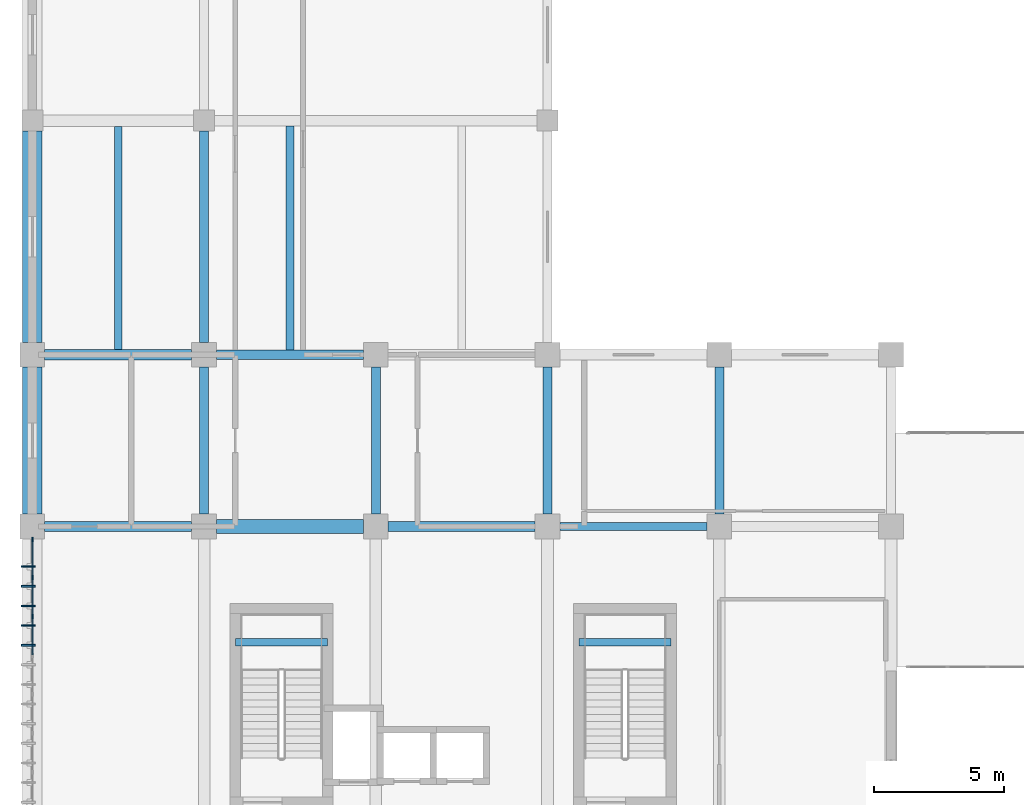
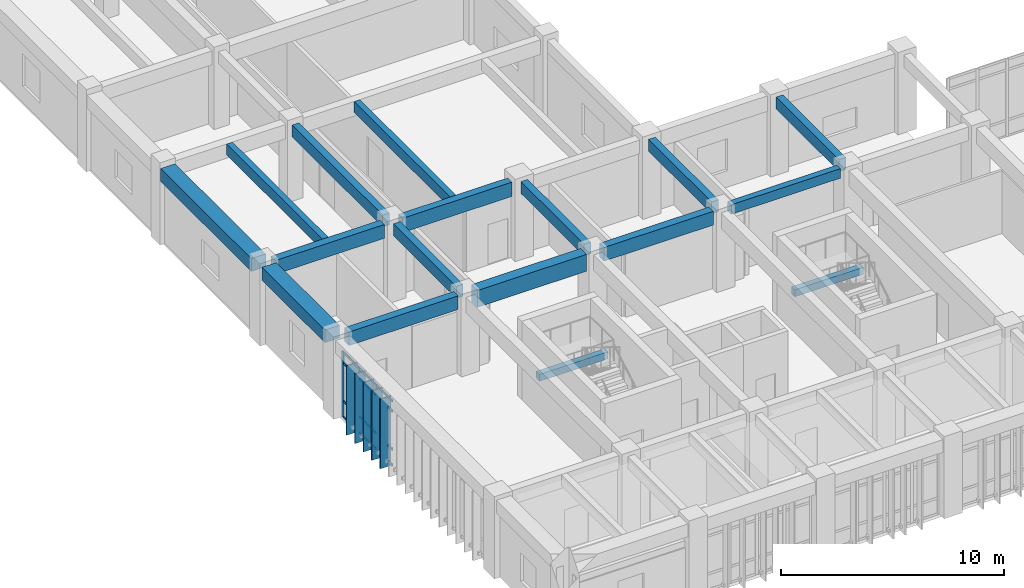
# One storey, part 5 of 57: 20 members, 17 beams, 1 element without a shape of its own.
"""IFC4 building model written with IfcOpenShell, lengths in metres."""

import ifcopenshell
import ifcopenshell.guid

model = None  # the IFC model being written
_history = None  # IfcOwnerHistory: only IFC2X3 demands one
_inside = {}  # id of a spatial element -> (the spatial element, [elements in it])
_under = {}  # id of a project, library or spatial element -> (it, [spatial elements below it])
_declared = {}  # id of a project -> (the project, [libraries it declares])
_typed = {}  # id of a type object -> (the type object, [elements of that type])
_made_of = {}  # id of a material, layer set ... -> (it, [elements and type objects made of it])


def new_model(schema):
    """Start an empty IFC model of exactly this schema.

    Asked for "IFC4X3", IfcOpenShell would pick the latest addendum, in which some entities
    have other attributes; the version numbers below select the first issue.
    IFC2X3 requires an IfcOwnerHistory on every rooted entity: one is made here for all.
    """
    global model, _history
    if schema == "IFC4X3":
        model = ifcopenshell.file(schema_version=(4, 3, 0, 0))
    else:
        model = ifcopenshell.file(schema=schema)
    _inside.clear()
    _under.clear()
    _declared.clear()
    _typed.clear()
    _made_of.clear()
    _history = None
    if model.schema == "IFC2X3":
        org = make("IfcOrganization", Name="unknown")
        user = make(
            "IfcPersonAndOrganization",
            ThePerson=make("IfcPerson", FamilyName="unknown"),
            TheOrganization=org,
        )
        app = make(
            "IfcApplication",
            ApplicationDeveloper=org,
            Version="unknown",
            ApplicationFullName="unknown",
            ApplicationIdentifier="unknown",
        )
        _history = make(
            "IfcOwnerHistory",
            OwningUser=user,
            OwningApplication=app,
            ChangeAction="ADDED",
            CreationDate=0,
        )
    return model


def make(cls, **values):
    """One entity of the class cls with the attributes given. An attribute that is None is left unset."""
    return model.create_entity(
        cls, **{name: value for name, value in values.items() if value is not None}
    )


def rooted(cls, **values):
    """An entity with a GlobalId (a new one), such as an element, a storey or a relation."""
    return make(cls, GlobalId=ifcopenshell.guid.new(), OwnerHistory=_history, **values)


def si_unit(unit_type, name, prefix=None):
    """IfcSIUnit, for example si_unit("LENGTHUNIT", "METRE", prefix="MILLI")."""
    return make("IfcSIUnit", UnitType=unit_type, Prefix=prefix, Name=name)


def assignment(units):
    """IfcUnitAssignment: the units of a project."""
    return None if units is None else make("IfcUnitAssignment", Units=units)


def point(xyz):
    """IfcCartesianPoint."""
    return None if xyz is None else make("IfcCartesianPoint", Coordinates=xyz)


def direction(xyz):
    """IfcDirection."""
    return None if xyz is None else make("IfcDirection", DirectionRatios=xyz)


def frame(location, z_axis=None, x_axis=None):
    """IfcAxis2Placement3D, a coordinate frame: its origin and axes. An axis left out is left unset."""
    return make(
        "IfcAxis2Placement3D",
        Location=point(location),
        Axis=direction(z_axis),
        RefDirection=direction(x_axis),
    )


def frame_2d(location, x_axis=None):
    """IfcAxis2Placement2D, a coordinate frame in the plane: its origin and x axis."""
    return make(
        "IfcAxis2Placement2D", Location=point(location), RefDirection=direction(x_axis)
    )


def origin():
    """The frame at (0, 0, 0) with its axes left unset."""
    return frame((0.0, 0.0, 0.0))


def origin_2d():
    """The frame at (0, 0) in the plane with its x axis left unset."""
    return frame_2d((0.0, 0.0))


def place(relative_to, where):
    """IfcLocalPlacement: puts the frame where relative to a parent placement (None: the world)."""
    return make(
        "IfcLocalPlacement", PlacementRelTo=relative_to, RelativePlacement=where
    )


def context(
    kind, dimensions, precision=None, world=None, true_north=None, identifier=None
):
    """IfcGeometricRepresentationContext, for example the 3D "Model" context."""
    return make(
        "IfcGeometricRepresentationContext",
        ContextIdentifier=identifier,
        ContextType=kind,
        CoordinateSpaceDimension=dimensions,
        Precision=precision,
        WorldCoordinateSystem=world,
        TrueNorth=true_north,
    )


def subcontext(parent, identifier, kind, view, scale=None):
    """IfcGeometricRepresentationSubContext, for example "Body" below "Model"."""
    return make(
        "IfcGeometricRepresentationSubContext",
        ContextIdentifier=identifier,
        ContextType=kind,
        ParentContext=parent,
        TargetScale=scale,
        TargetView=view,
    )


def project(units=None, contexts=None):
    """IfcProject with its units and contexts."""
    return rooted(
        "IfcProject",
        Name="project",
        RepresentationContexts=contexts,
        UnitsInContext=assignment(units),
    )


def spatial(cls, under=None, at=None, **own):
    """A site, building, storey or space (cls), placed at a placement, below another one or the project."""
    s = rooted(cls, ObjectPlacement=at, **own)
    if under is not None:
        _under.setdefault(under.id(), (under, []))[1].append(s)
    return s


def profile(cls, at=None, kind="AREA", **sizes):
    """A parametric profile (cls). Its sizes go by their IFC names, for example OverallWidth=200.0."""
    return make(cls, ProfileType=kind, Position=at, **sizes)


def rectangle(**sizes):
    """IfcRectangleProfileDef."""
    return profile("IfcRectangleProfileDef", **sizes)


def extrude(swept, where, along, depth):
    """IfcExtrudedAreaSolid: the profile swept, set in the frame where, extruded along a direction by depth."""
    return make(
        "IfcExtrudedAreaSolid",
        SweptArea=swept,
        Position=where,
        ExtrudedDirection=direction(along),
        Depth=depth,
    )


def shape(context_of_items, identifier, shape_type, items):
    """IfcShapeRepresentation: the items that make up one representation, for example the "Body"."""
    return make(
        "IfcShapeRepresentation",
        ContextOfItems=context_of_items,
        RepresentationIdentifier=identifier,
        RepresentationType=shape_type,
        Items=items,
    )


def material(Name=None, Category=None):
    """IfcMaterial."""
    return make("IfcMaterial", Name=Name, Category=Category)


def layer(
    of_material, thickness, ventilated=None, Name=None, Category=None, Priority=None
):
    """IfcMaterialLayer: one layer of a wall or slab, of a material (None: an air gap)."""
    return make(
        "IfcMaterialLayer",
        Material=of_material,
        LayerThickness=thickness,
        IsVentilated=ventilated,
        Name=Name,
        Category=Category,
        Priority=Priority,
    )


def layer_set(layers, Name=None):
    """IfcMaterialLayerSet."""
    return make("IfcMaterialLayerSet", MaterialLayers=layers, LayerSetName=Name)


def material_profile(
    of_material, cross_section, Name=None, Category=None, Priority=None
):
    """IfcMaterialProfile: a cross section and its material."""
    return make(
        "IfcMaterialProfile",
        Name=Name,
        Material=of_material,
        Profile=cross_section,
        Priority=Priority,
        Category=Category,
    )


def profile_set(profiles, Name=None, composite=None):
    """IfcMaterialProfileSet."""
    return make(
        "IfcMaterialProfileSet",
        Name=Name,
        MaterialProfiles=profiles,
        CompositeProfile=composite,
    )


def made_of(thing, what):
    """Note that an element or type object is made of a material, layer set ...; save() writes the relation."""
    if what is not None:
        _made_of.setdefault(what.id(), (what, []))[1].append(thing)
    return thing


def type_object(cls, material=None, **own):
    """A type object (cls), such as IfcWallType, which elements share."""
    return made_of(rooted(cls, **own), material)


def element(
    cls,
    number,
    at=None,
    inside=None,
    cuts=None,
    type_object=None,
    material=None,
    context=None,
    identifier="Body",
    shape_type=None,
    held_by="IfcProductDefinitionShape",
    body=None,
    shapes=None,
    **own,
):
    """One element of the class cls, such as IfcWall. Its Tag is "e" and its number.

    at: its placement. inside: the storey or other place that contains it. cuts: it is an
    opening in that element (IfcRelVoidsElement). A single representation is given by context,
    identifier, shape_type and body (its items); several are given by shapes. held_by: the class
    of the entity that holds the representations. save() writes the other relations.
    """
    e = rooted(cls, Tag="e%d" % number, ObjectPlacement=at, **own)
    if body is not None:
        shapes = [shape(context, identifier, shape_type, body)]
    if shapes is not None:
        e.Representation = make(held_by, Representations=shapes)
    if inside is not None:
        _inside.setdefault(inside.id(), (inside, []))[1].append(e)
    if cuts is not None:
        rooted(
            "IfcRelVoidsElement", RelatingBuildingElement=cuts, RelatedOpeningElement=e
        )
    if type_object is not None:
        _typed.setdefault(type_object.id(), (type_object, []))[1].append(e)
    return made_of(e, material)


def aggregate(whole, parts):
    """IfcRelAggregates: a whole, such as a stair, and the parts it consists of."""
    return rooted("IfcRelAggregates", RelatingObject=whole, RelatedObjects=parts)


def save(model, path):
    """Write the relations noted so far, then the file.

    IfcRelAggregates (storeys below a building ...), IfcRelContainedInSpatialStructure (elements
    in a storey), IfcRelDefinesByType, IfcRelAssociatesMaterial and IfcRelDeclares: one each for
    every whole, place, type object, material and project.
    """
    for whole, parts in _under.values():
        aggregate(whole, parts)
    for where, things in _inside.values():
        rooted(
            "IfcRelContainedInSpatialStructure",
            RelatedElements=things,
            RelatingStructure=where,
        )
    for kind, things in _typed.values():
        rooted("IfcRelDefinesByType", RelatedObjects=things, RelatingType=kind)
    for what, things in _made_of.values():
        rooted("IfcRelAssociatesMaterial", RelatedObjects=things, RelatingMaterial=what)
    for by, libraries in _declared.values():
        rooted("IfcRelDeclares", RelatingContext=by, RelatedDefinitions=libraries)
    model.write(path)


model = new_model("IFC4")

# Units and contexts
model_context = context("Model", 3, precision=1e-05, world=origin(), true_north=direction((0.0, 1.0)))
body_context = subcontext(model_context, "Body", "Model", "MODEL_VIEW")
ifc_project = project(units=[si_unit("LENGTHUNIT", "METRE"), si_unit("AREAUNIT", "SQUARE_METRE"), si_unit("VOLUMEUNIT", "CUBIC_METRE"), si_unit("PLANEANGLEUNIT", "RADIAN"), si_unit("MASSUNIT", "GRAM", prefix="KILO")], contexts=[model_context])

# Site, building, storey
site_placement = place(None, origin())
site = spatial("IfcSite", under=ifc_project, at=site_placement, CompositionType="ELEMENT")
building_placement = place(site_placement, origin())
building = spatial("IfcBuilding", under=site, at=building_placement, Name="Miralva Faculty of Natural Sciences", CompositionType="ELEMENT")
storey_placement = place(building_placement, frame((0.0, 0.0, 15.0)))
storey = spatial("IfcBuildingStorey", under=building, at=storey_placement, Name="L03", CompositionType="ELEMENT", Elevation=15.0)

# Beams
ifc_material_1 = material(Name="Concrete C40/50", Category="concrete")
ifc_material_profile_1 = material_profile(ifc_material_1, rectangle(XDim=0.39990234375, YDim=0.75, at=origin_2d()), Name="RC 400x750")
ifc_profile_set_1 = profile_set([ifc_material_profile_1], Name="Concrete C40/50")
beam_type_1 = type_object("IfcBeamType", Name="BM-B03", PredefinedType="BEAM", material=ifc_profile_set_1)
for number, where, z_axis, x_axis, name in (
    (1, (3.47509765625, 23.39990234375, 3.905029296875), (1.0, 0.0, 0.0), (0.0, 1.0, 0.0), "Girder EW L03-16"),
    (2, (16.675048828125, 23.39990234375, 3.905029296875), (1.0, 0.0, 0.0), (0.0, 1.0, 0.0), "Girder EW L03-18"),
    (3, (3.47509765625, 30.0, 3.804931640625), (1.0, 0.0, 0.0), (0.0, 1.0, 0.0), "Girder EW L03-24"),
):
    element("IfcBeam", number, at=place(storey_placement, frame(where, z_axis=z_axis, x_axis=x_axis)), inside=storey, type_object=beam_type_1, Name=name, PredefinedType="BEAM", context=body_context, shape_type="SweptSolid", body=[
        extrude(rectangle(XDim=0.39990234375, YDim=0.75, at=origin_2d()), origin(), (0.0, 0.0, 1.0), 5.64990234375),
    ])
ifc_material_profile_2 = material_profile(ifc_material_1, rectangle(XDim=0.35009765625, YDim=0.64990234375, at=origin_2d()), Name="RC 350x650")
ifc_profile_set_2 = profile_set([ifc_material_profile_2], Name="Concrete C40/50")
beam_type_2 = type_object("IfcBeamType", Name="BM-B05", PredefinedType="BEAM", material=ifc_profile_set_2)
beam_1_placement = place(storey_placement, frame((9.60009765625, 23.875, 3.955078125), z_axis=(0.0, 1.0, 0.0), x_axis=(-1.0, 0.0, 0.0)))
element("IfcBeam", 4, at=beam_1_placement, inside=storey, type_object=beam_type_2, Name="Girder NS L03-77", PredefinedType="BEAM", context=body_context, shape_type="SweptSolid", body=[
    extrude(rectangle(XDim=0.35009765625, YDim=0.64990234375, at=origin_2d()), origin(), (0.0, 0.0, 1.0), 5.64990234375),
])
beam_2_placement = place(storey_placement, frame((9.60009765625, 30.47509765625, 3.85498046875), z_axis=(0.0, 1.0, 0.0), x_axis=(-1.0, 0.0, 0.0)))
element("IfcBeam", 5, at=beam_2_placement, inside=storey, type_object=beam_type_2, Name="Girder NS L03-78", PredefinedType="BEAM", context=body_context, shape_type="SweptSolid", body=[
    extrude(rectangle(XDim=0.35009765625, YDim=0.64990234375, at=origin_2d()), origin(), (0.0, 0.0, 1.0), 8.125),
])
for number, where, z_axis, x_axis, name in (
    (6, (16.199951171875, 23.875, 3.955078125), (0.0, 1.0, 0.0), (-1.0, 0.0, 0.0), "Girder NS L03-90"),
    (7, (22.800048828125, 23.875, 3.955078125), (0.0, 1.0, 0.0), (-1.0, 0.0, 0.0), "Girder NS L03-93"),
    (8, (29.39990234375, 23.875, 3.955078125), (0.0, 1.0, 0.0), (-1.0, 0.0, 0.0), "Girder NS L03-106"),
):
    element("IfcBeam", number, at=place(storey_placement, frame(where, z_axis=z_axis, x_axis=x_axis)), inside=storey, type_object=beam_type_2, Name=name, PredefinedType="BEAM", context=body_context, shape_type="SweptSolid", body=[
        extrude(rectangle(XDim=0.35009765625, YDim=0.64990234375, at=origin_2d()), origin(), (0.0, 0.0, 1.0), 5.64990234375),
    ])
ifc_material_profile_3 = material_profile(ifc_material_1, rectangle(XDim=0.320068359375, YDim=0.52001953125, at=origin_2d()), Name="RC 320x520")
ifc_profile_set_3 = profile_set([ifc_material_profile_3], Name="Concrete C40/50")
beam_type_3 = type_object("IfcBeamType", Name="BM-BG01", PredefinedType="BEAM", material=ifc_profile_set_3)
beam_3_placement = place(storey_placement, frame((23.27490234375, 23.39990234375, 4.02001953125), z_axis=(1.0, 0.0, 0.0), x_axis=(0.0, 1.0, 0.0)))
element("IfcBeam", 9, at=beam_3_placement, inside=storey, type_object=beam_type_3, Name="Girder EW L03-19", PredefinedType="BEAM", context=body_context, shape_type="SweptSolid", body=[
    extrude(rectangle(XDim=0.320068359375, YDim=0.52001953125, at=origin_2d()), origin(), (0.0, 0.0, 1.0), 5.650146484375),
])
ifc_material_profile_4 = material_profile(ifc_material_1, rectangle(XDim=0.3798828125, YDim=0.780029296875, at=origin_2d()), Name="RC 380x780")
ifc_profile_set_4 = profile_set([ifc_material_profile_4], Name="Concrete C40/50")
beam_type_4 = type_object("IfcBeamType", Name="BM-BG07", PredefinedType="BEAM", material=ifc_profile_set_4)
beam_4_placement = place(storey_placement, frame((10.074951171875, 30.0, 3.7900390625), z_axis=(1.0, 0.0, 0.0), x_axis=(0.0, 1.0, 0.0)))
element("IfcBeam", 10, at=beam_4_placement, inside=storey, type_object=beam_type_4, Name="Girder EW L03-25", PredefinedType="BEAM", context=body_context, shape_type="SweptSolid", body=[
    extrude(rectangle(XDim=0.3798828125, YDim=0.780029296875, at=origin_2d()), origin(), (0.0, 0.0, 1.0), 5.650146484375),
])
ifc_material_profile_5 = material_profile(ifc_material_1, rectangle(XDim=0.5400390625, YDim=0.919921875, at=origin_2d()), Name="RC 540x920")
ifc_profile_set_5 = profile_set([ifc_material_profile_5], Name="Concrete C40/50")
beam_type_5 = type_object("IfcBeamType", Name="BM-BG21", PredefinedType="BEAM", material=ifc_profile_set_5)
beam_5_placement = place(storey_placement, frame((10.074951171875, 23.39990234375, 3.820068359375), z_axis=(1.0, 0.0, 0.0), x_axis=(0.0, 1.0, 0.0)))
element("IfcBeam", 11, at=beam_5_placement, inside=storey, type_object=beam_type_5, Name="Girder EW L03-17", PredefinedType="BEAM", context=body_context, shape_type="SweptSolid", body=[
    extrude(rectangle(XDim=0.5400390625, YDim=0.919921875, at=origin_2d()), origin(), (0.0, 0.0, 1.0), 5.650146484375),
])
ifc_material_profile_6 = material_profile(ifc_material_1, rectangle(XDim=0.300048828125, YDim=0.60009765625, at=origin_2d()), Name="RC 300x600")
ifc_profile_set_6 = profile_set([ifc_material_profile_6], Name="Concrete C40/50")
beam_type_6 = type_object("IfcBeamType", Name="BM-J01", PredefinedType="JOIST", material=ifc_profile_set_6)
beam_6_placement = place(storey_placement, frame((6.300048828125, 30.199951171875, 3.8798828125), z_axis=(0.0, 1.0, 0.0), x_axis=(-1.0, 0.0, 0.0)))
element("IfcBeam", 12, at=beam_6_placement, inside=storey, type_object=beam_type_6, Name="Floor joist L03-6", PredefinedType="JOIST", context=body_context, shape_type="SweptSolid", body=[
    extrude(rectangle(XDim=0.300048828125, YDim=0.60009765625, at=origin_2d()), origin(), (0.0, 0.0, 1.0), 8.580078125),
])
beam_7_placement = place(storey_placement, frame((12.89990234375, 30.18994140625, 3.8798828125), z_axis=(0.0, 1.0, 0.0), x_axis=(-1.0, 0.0, 0.0)))
element("IfcBeam", 13, at=beam_7_placement, inside=storey, type_object=beam_type_6, Name="Floor joist L03-7", PredefinedType="JOIST", context=body_context, shape_type="SweptSolid", body=[
    extrude(rectangle(XDim=0.300048828125, YDim=0.60009765625, at=origin_2d()), origin(), (0.0, 0.0, 1.0), 8.610107421875),
])
ifc_material_profile_7 = material_profile(ifc_material_1, rectangle(XDim=0.300048828125, YDim=0.3798828125, at=origin_2d()), Name="RC 300x380")
ifc_profile_set_7 = profile_set([ifc_material_profile_7], Name="Concrete C40/50")
beam_type_7 = type_object("IfcBeamType", Name="BM-LND01", PredefinedType="BEAM", material=ifc_profile_set_7)
for number, where, z_axis, x_axis, name in (
    (14, (10.800048828125, 18.955078125, 1.8701171875), (1.0, 0.0, 0.0), (0.0, 1.0, 0.0), "Stair Core C1 half-landing support beam L03"),
    (15, (24.0, 18.955078125, 1.8701171875), (1.0, 0.0, 0.0), (0.0, 1.0, 0.0), "Stair Core C1B half-landing support beam L03"),
):
    element("IfcBeam", number, at=place(storey_placement, frame(where, z_axis=z_axis, x_axis=x_axis)), inside=storey, type_object=beam_type_7, Name=name, PredefinedType="BEAM", context=body_context, shape_type="SweptSolid", body=[
        extrude(rectangle(XDim=0.300048828125, YDim=0.3798828125, at=origin_2d()), origin(), (0.0, 0.0, 1.0), 3.550048828125),
    ])
ifc_material_profile_8 = material_profile(ifc_material_1, rectangle(XDim=0.75, YDim=0.699951171875, at=origin_2d()), Name="RC 750x700")
ifc_profile_set_8 = profile_set([ifc_material_profile_8], Name="Concrete C40/50")
beam_type_8 = type_object("IfcBeamType", Name="BM-SP01", PredefinedType="SPANDREL", material=ifc_profile_set_8)
beam_8_placement = place(storey_placement, frame((3.0, 23.875, 3.929931640625), z_axis=(0.0, 1.0, 0.0), x_axis=(-1.0, 0.0, 0.0)))
element("IfcBeam", 16, at=beam_8_placement, inside=storey, type_object=beam_type_8, Name="Girder NS L03-64", PredefinedType="SPANDREL", context=body_context, shape_type="SweptSolid", body=[
    extrude(rectangle(XDim=0.75, YDim=0.699951171875, at=origin_2d()), origin(), (0.0, 0.0, 1.0), 5.64990234375),
])
beam_9_placement = place(storey_placement, frame((3.0, 30.47509765625, 3.830078125), z_axis=(0.0, 1.0, 0.0), x_axis=(-1.0, 0.0, 0.0)))
element("IfcBeam", 17, at=beam_9_placement, inside=storey, type_object=beam_type_8, Name="Girder NS L03-65", PredefinedType="SPANDREL", context=body_context, shape_type="SweptSolid", body=[
    extrude(rectangle(XDim=0.75, YDim=0.699951171875, at=origin_2d()), origin(), (0.0, 0.0, 1.0), 8.125),
])

# Curtain wall, members
ifc_material_2 = material(Name="Laminated solar-control glass", Category="glass")
ifc_layer = layer(ifc_material_2, 0.179931640625, Name="CW-TWR-L03")
ifc_layer_set = layer_set([ifc_layer], Name="Laminated solar-control glass")
curtain_wall_type = type_object("IfcCurtainWallType", Name="CW-TWR-L03", PredefinedType="USERDEFINED", material=ifc_layer_set)
curtain_wall_placement = place(storey_placement, origin())
curtain_wall = element("IfcCurtainWall", 18, at=curtain_wall_placement, inside=storey, type_object=curtain_wall_type, Name="Curtain wall CW-14 L03-228", ObjectType="UNITISED CURTAIN WALL", PredefinedType="USERDEFINED")
ifc_material_3 = material(Name="Anodised aluminium", Category="aluminium")
ifc_material_profile_9 = material_profile(ifc_material_3, rectangle(XDim=0.06494140625, YDim=0.159912109375, at=origin_2d()), Name="MULLION 65x160")
ifc_profile_set_9 = profile_set([ifc_material_profile_9], Name="Anodised aluminium")
member_type_1 = type_object("IfcMemberType", Name="CW-M02", PredefinedType="MULLION", material=ifc_profile_set_9)
member_1_placement = place(storey_placement, frame((3.0, 19.941650390625, 0.0), z_axis=(0.0, 0.0, 1.0), x_axis=(-1.0, 0.0, 0.0)))
member_1 = element("IfcMember", 19, at=member_1_placement, type_object=member_type_1, Name="CW-14 mullion 8", PredefinedType="MULLION", context=body_context, shape_type="SweptSolid", body=[
    extrude(rectangle(XDim=0.06494140625, YDim=0.159912109375, at=origin_2d()), origin(), (0.0, 0.0, 1.0), 3.574951171875),
])
member_2_placement = place(storey_placement, frame((3.0, 21.438232421875, 0.0), z_axis=(0.0, 0.0, 1.0), x_axis=(-1.0, 0.0, 0.0)))
member_2 = element("IfcMember", 20, at=member_2_placement, type_object=member_type_1, Name="CW-14 mullion 9", PredefinedType="MULLION", context=body_context, shape_type="SweptSolid", body=[
    extrude(rectangle(XDim=0.06494140625, YDim=0.159912109375, at=origin_2d()), origin(), (0.0, 0.0, 1.0), 3.574951171875),
])
member_3_placement = place(storey_placement, frame((3.0, 22.902587890625, 0.0), z_axis=(0.0, 0.0, 1.0), x_axis=(-1.0, 0.0, 0.0)))
member_3 = element("IfcMember", 21, at=member_3_placement, type_object=member_type_1, Name="CW-14 mullion 10", PredefinedType="MULLION", context=body_context, shape_type="SweptSolid", body=[
    extrude(rectangle(XDim=0.06494140625, YDim=0.159912109375, at=origin_2d()), origin(), (0.0, 0.0, 1.0), 3.574951171875),
])
ifc_material_profile_10 = material_profile(ifc_material_3, rectangle(XDim=0.06005859375, YDim=0.1201171875, at=origin_2d()), Name="TRANSOM 60x120")
ifc_profile_set_10 = profile_set([ifc_material_profile_10], Name="Anodised aluminium")
member_type_2 = type_object("IfcMemberType", Name="CW-T02", PredefinedType="USERDEFINED", material=ifc_profile_set_10)
member_4_placement = place(storey_placement, frame((3.0, 18.4775390625, 0.030029296875), z_axis=(0.0, 1.0, 0.0), x_axis=(-1.0, 0.0, 0.0)))
member_4 = element("IfcMember", 22, at=member_4_placement, type_object=member_type_2, Name="CW-14 transom 7.1", ObjectType="TRANSOM", PredefinedType="USERDEFINED", context=body_context, shape_type="SweptSolid", body=[
    extrude(rectangle(XDim=0.06005859375, YDim=0.1201171875, at=origin_2d()), origin(), (0.0, 0.0, 1.0), 1.431640625),
])
member_5_placement = place(storey_placement, frame((3.0, 18.4775390625, 0.89990234375), z_axis=(0.0, 1.0, 0.0), x_axis=(-1.0, 0.0, 0.0)))
member_5 = element("IfcMember", 23, at=member_5_placement, type_object=member_type_2, Name="CW-14 transom 7.2", ObjectType="TRANSOM", PredefinedType="USERDEFINED", context=body_context, shape_type="SweptSolid", body=[
    extrude(rectangle(XDim=0.06005859375, YDim=0.1201171875, at=origin_2d()), origin(), (0.0, 0.0, 1.0), 1.431640625),
])
member_6_placement = place(storey_placement, frame((3.0, 18.4775390625, 2.97509765625), z_axis=(0.0, 1.0, 0.0), x_axis=(-1.0, 0.0, 0.0)))
member_6 = element("IfcMember", 24, at=member_6_placement, type_object=member_type_2, Name="CW-14 transom 7.3", ObjectType="TRANSOM", PredefinedType="USERDEFINED", context=body_context, shape_type="SweptSolid", body=[
    extrude(rectangle(XDim=0.06005859375, YDim=0.1201171875, at=origin_2d()), origin(), (0.0, 0.0, 1.0), 1.431640625),
])
member_7_placement = place(storey_placement, frame((3.0, 18.4775390625, 3.544921875), z_axis=(0.0, 1.0, 0.0), x_axis=(-1.0, 0.0, 0.0)))
member_7 = element("IfcMember", 25, at=member_7_placement, type_object=member_type_2, Name="CW-14 transom 7.4", ObjectType="TRANSOM", PredefinedType="USERDEFINED", context=body_context, shape_type="SweptSolid", body=[
    extrude(rectangle(XDim=0.06005859375, YDim=0.1201171875, at=origin_2d()), origin(), (0.0, 0.0, 1.0), 1.431640625),
])
member_8_placement = place(storey_placement, frame((3.0, 19.97412109375, 0.030029296875), z_axis=(0.0, 1.0, 0.0), x_axis=(-1.0, 0.0, 0.0)))
member_8 = element("IfcMember", 26, at=member_8_placement, type_object=member_type_2, Name="CW-14 transom 8.1", ObjectType="TRANSOM", PredefinedType="USERDEFINED", context=body_context, shape_type="SweptSolid", body=[
    extrude(rectangle(XDim=0.06005859375, YDim=0.1201171875, at=origin_2d()), origin(), (0.0, 0.0, 1.0), 1.431640625),
])
member_9_placement = place(storey_placement, frame((3.0, 19.97412109375, 0.89990234375), z_axis=(0.0, 1.0, 0.0), x_axis=(-1.0, 0.0, 0.0)))
member_9 = element("IfcMember", 27, at=member_9_placement, type_object=member_type_2, Name="CW-14 transom 8.2", ObjectType="TRANSOM", PredefinedType="USERDEFINED", context=body_context, shape_type="SweptSolid", body=[
    extrude(rectangle(XDim=0.06005859375, YDim=0.1201171875, at=origin_2d()), origin(), (0.0, 0.0, 1.0), 1.431640625),
])
member_10_placement = place(storey_placement, frame((3.0, 19.97412109375, 2.97509765625), z_axis=(0.0, 1.0, 0.0), x_axis=(-1.0, 0.0, 0.0)))
member_10 = element("IfcMember", 28, at=member_10_placement, type_object=member_type_2, Name="CW-14 transom 8.3", ObjectType="TRANSOM", PredefinedType="USERDEFINED", context=body_context, shape_type="SweptSolid", body=[
    extrude(rectangle(XDim=0.06005859375, YDim=0.1201171875, at=origin_2d()), origin(), (0.0, 0.0, 1.0), 1.431640625),
])
member_11_placement = place(storey_placement, frame((3.0, 19.97412109375, 3.544921875), z_axis=(0.0, 1.0, 0.0), x_axis=(-1.0, 0.0, 0.0)))
member_11 = element("IfcMember", 29, at=member_11_placement, type_object=member_type_2, Name="CW-14 transom 8.4", ObjectType="TRANSOM", PredefinedType="USERDEFINED", context=body_context, shape_type="SweptSolid", body=[
    extrude(rectangle(XDim=0.06005859375, YDim=0.1201171875, at=origin_2d()), origin(), (0.0, 0.0, 1.0), 1.431640625),
])
member_12_placement = place(storey_placement, frame((3.0, 21.470947265625, 0.030029296875), z_axis=(0.0, 1.0, 0.0), x_axis=(-1.0, 0.0, 0.0)))
member_12 = element("IfcMember", 30, at=member_12_placement, type_object=member_type_2, Name="CW-14 transom 9.1", ObjectType="TRANSOM", PredefinedType="USERDEFINED", context=body_context, shape_type="SweptSolid", body=[
    extrude(rectangle(XDim=0.06005859375, YDim=0.1201171875, at=origin_2d()), origin(), (0.0, 0.0, 1.0), 1.399169921875),
])
member_13_placement = place(storey_placement, frame((3.0, 21.470947265625, 0.89990234375), z_axis=(0.0, 1.0, 0.0), x_axis=(-1.0, 0.0, 0.0)))
member_13 = element("IfcMember", 31, at=member_13_placement, type_object=member_type_2, Name="CW-14 transom 9.2", ObjectType="TRANSOM", PredefinedType="USERDEFINED", context=body_context, shape_type="SweptSolid", body=[
    extrude(rectangle(XDim=0.06005859375, YDim=0.1201171875, at=origin_2d()), origin(), (0.0, 0.0, 1.0), 1.399169921875),
])
member_14_placement = place(storey_placement, frame((3.0, 21.470947265625, 2.97509765625), z_axis=(0.0, 1.0, 0.0), x_axis=(-1.0, 0.0, 0.0)))
member_14 = element("IfcMember", 32, at=member_14_placement, type_object=member_type_2, Name="CW-14 transom 9.3", ObjectType="TRANSOM", PredefinedType="USERDEFINED", context=body_context, shape_type="SweptSolid", body=[
    extrude(rectangle(XDim=0.06005859375, YDim=0.1201171875, at=origin_2d()), origin(), (0.0, 0.0, 1.0), 1.399169921875),
])
member_15_placement = place(storey_placement, frame((3.0, 21.470947265625, 3.544921875), z_axis=(0.0, 1.0, 0.0), x_axis=(-1.0, 0.0, 0.0)))
member_15 = element("IfcMember", 33, at=member_15_placement, type_object=member_type_2, Name="CW-14 transom 9.4", ObjectType="TRANSOM", PredefinedType="USERDEFINED", context=body_context, shape_type="SweptSolid", body=[
    extrude(rectangle(XDim=0.06005859375, YDim=0.1201171875, at=origin_2d()), origin(), (0.0, 0.0, 1.0), 1.399169921875),
])
aggregate(curtain_wall, [member_1, member_2, member_3, member_4, member_5, member_6, member_7, member_8, member_9, member_10, member_11, member_12, member_13, member_14, member_15])

# Members
ifc_material_profile_11 = material_profile(ifc_material_3, rectangle(XDim=0.06494140625, YDim=0.550048828125, at=origin_2d()), Name="FIN 550x65")
ifc_profile_set_11 = profile_set([ifc_material_profile_11], Name="Anodised aluminium")
member_type_3 = type_object("IfcMemberType", Name="MEM-SF03", PredefinedType="USERDEFINED", material=ifc_profile_set_11)
for number, where, z_axis, x_axis, name in (
    (34, (2.840087890625, 18.84033203125, -0.219970703125), (0.0, 0.0, 1.0), (0.0, -1.0, 0.0), "Solar shading fin SF-03 L03-292"),
    (35, (2.840087890625, 19.5947265625, -0.219970703125), (0.0, 0.0, 1.0), (0.0, -1.0, 0.0), "Solar shading fin SF-03 L03-293"),
    (36, (2.840087890625, 20.34912109375, -0.219970703125), (0.0, 0.0, 1.0), (0.0, -1.0, 0.0), "Solar shading fin SF-03 L03-294"),
    (37, (2.840087890625, 21.103515625, -0.219970703125), (0.0, 0.0, 1.0), (0.0, -1.0, 0.0), "Solar shading fin SF-03 L03-295"),
    (38, (2.840087890625, 21.85791015625, -0.219970703125), (0.0, 0.0, 1.0), (0.0, -1.0, 0.0), "Solar shading fin SF-03 L03-296"),
):
    element("IfcMember", number, at=place(storey_placement, frame(where, z_axis=z_axis, x_axis=x_axis)), inside=storey, type_object=member_type_3, Name=name, ObjectType="SUNSHADE", PredefinedType="USERDEFINED", context=body_context, shape_type="SweptSolid", body=[
        extrude(rectangle(XDim=0.06494140625, YDim=0.550048828125, at=origin_2d()), origin(), (0.0, 0.0, 1.0), 3.794921875),
    ])

save(model, "model.ifc")
